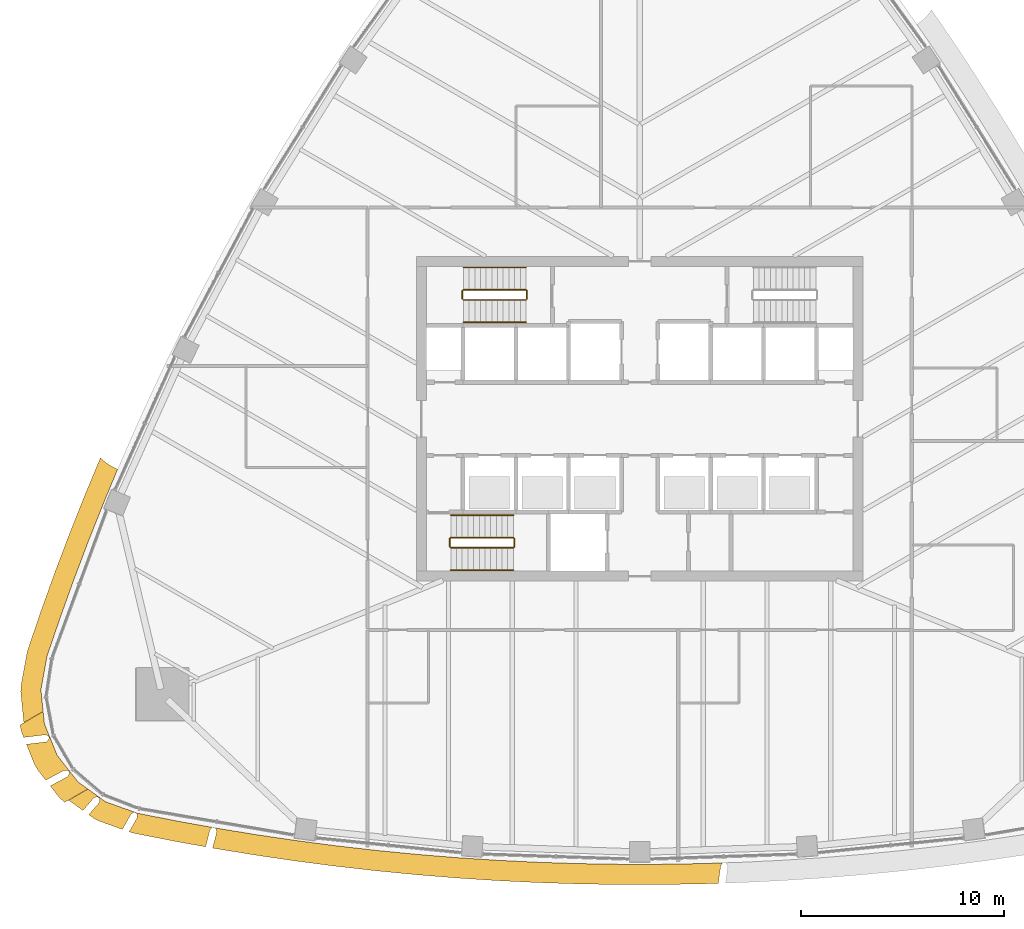
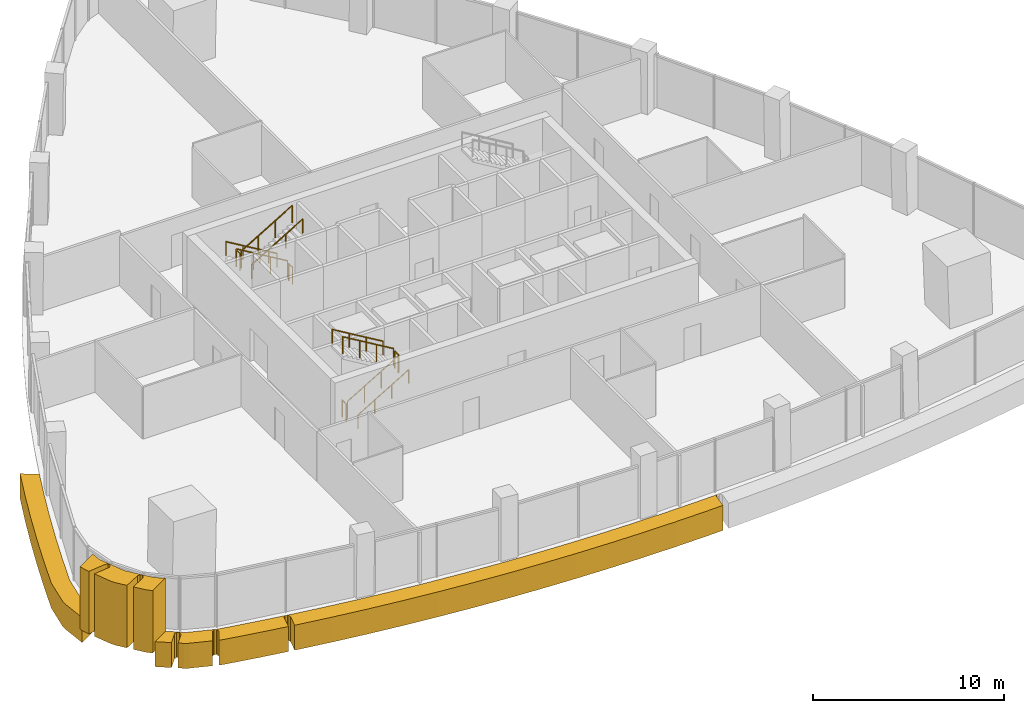
# One storey, part 13 of 16: 12 railings, 3 coverings.
"""IFC4 building model written with IfcOpenShell, lengths in metres."""

import ifcopenshell
import ifcopenshell.guid

model = None  # the IFC model being written
_history = None  # IfcOwnerHistory: only IFC2X3 demands one
_inside = {}  # id of a spatial element -> (the spatial element, [elements in it])
_under = {}  # id of a project, library or spatial element -> (it, [spatial elements below it])
_declared = {}  # id of a project -> (the project, [libraries it declares])
_typed = {}  # id of a type object -> (the type object, [elements of that type])
_made_of = {}  # id of a material, layer set ... -> (it, [elements and type objects made of it])


def new_model(schema):
    """Start an empty IFC model of exactly this schema.

    Asked for "IFC4X3", IfcOpenShell would pick the latest addendum, in which some entities
    have other attributes; the version numbers below select the first issue.
    IFC2X3 requires an IfcOwnerHistory on every rooted entity: one is made here for all.
    """
    global model, _history
    if schema == "IFC4X3":
        model = ifcopenshell.file(schema_version=(4, 3, 0, 0))
    else:
        model = ifcopenshell.file(schema=schema)
    _inside.clear()
    _under.clear()
    _declared.clear()
    _typed.clear()
    _made_of.clear()
    _history = None
    if model.schema == "IFC2X3":
        org = make("IfcOrganization", Name="unknown")
        user = make(
            "IfcPersonAndOrganization",
            ThePerson=make("IfcPerson", FamilyName="unknown"),
            TheOrganization=org,
        )
        app = make(
            "IfcApplication",
            ApplicationDeveloper=org,
            Version="unknown",
            ApplicationFullName="unknown",
            ApplicationIdentifier="unknown",
        )
        _history = make(
            "IfcOwnerHistory",
            OwningUser=user,
            OwningApplication=app,
            ChangeAction="ADDED",
            CreationDate=0,
        )
    return model


def make(cls, **values):
    """One entity of the class cls with the attributes given. An attribute that is None is left unset."""
    return model.create_entity(
        cls, **{name: value for name, value in values.items() if value is not None}
    )


def rooted(cls, **values):
    """An entity with a GlobalId (a new one), such as an element, a storey or a relation."""
    return make(cls, GlobalId=ifcopenshell.guid.new(), OwnerHistory=_history, **values)


def si_unit(unit_type, name, prefix=None):
    """IfcSIUnit, for example si_unit("LENGTHUNIT", "METRE", prefix="MILLI")."""
    return make("IfcSIUnit", UnitType=unit_type, Prefix=prefix, Name=name)


def assignment(units):
    """IfcUnitAssignment: the units of a project."""
    return None if units is None else make("IfcUnitAssignment", Units=units)


def point(xyz):
    """IfcCartesianPoint."""
    return None if xyz is None else make("IfcCartesianPoint", Coordinates=xyz)


def direction(xyz):
    """IfcDirection."""
    return None if xyz is None else make("IfcDirection", DirectionRatios=xyz)


def frame(location, z_axis=None, x_axis=None):
    """IfcAxis2Placement3D, a coordinate frame: its origin and axes. An axis left out is left unset."""
    return make(
        "IfcAxis2Placement3D",
        Location=point(location),
        Axis=direction(z_axis),
        RefDirection=direction(x_axis),
    )


def frame_2d(location, x_axis=None):
    """IfcAxis2Placement2D, a coordinate frame in the plane: its origin and x axis."""
    return make(
        "IfcAxis2Placement2D", Location=point(location), RefDirection=direction(x_axis)
    )


def origin():
    """The frame at (0, 0, 0) with its axes left unset."""
    return frame((0.0, 0.0, 0.0))


def origin_2d():
    """The frame at (0, 0) in the plane with its x axis left unset."""
    return frame_2d((0.0, 0.0))


def place(relative_to, where):
    """IfcLocalPlacement: puts the frame where relative to a parent placement (None: the world)."""
    return make(
        "IfcLocalPlacement", PlacementRelTo=relative_to, RelativePlacement=where
    )


def context(
    kind, dimensions, precision=None, world=None, true_north=None, identifier=None
):
    """IfcGeometricRepresentationContext, for example the 3D "Model" context."""
    return make(
        "IfcGeometricRepresentationContext",
        ContextIdentifier=identifier,
        ContextType=kind,
        CoordinateSpaceDimension=dimensions,
        Precision=precision,
        WorldCoordinateSystem=world,
        TrueNorth=true_north,
    )


def subcontext(parent, identifier, kind, view, scale=None):
    """IfcGeometricRepresentationSubContext, for example "Body" below "Model"."""
    return make(
        "IfcGeometricRepresentationSubContext",
        ContextIdentifier=identifier,
        ContextType=kind,
        ParentContext=parent,
        TargetScale=scale,
        TargetView=view,
    )


def project(units=None, contexts=None):
    """IfcProject with its units and contexts."""
    return rooted(
        "IfcProject",
        Name="project",
        RepresentationContexts=contexts,
        UnitsInContext=assignment(units),
    )


def spatial(cls, under=None, at=None, **own):
    """A site, building, storey or space (cls), placed at a placement, below another one or the project."""
    s = rooted(cls, ObjectPlacement=at, **own)
    if under is not None:
        _under.setdefault(under.id(), (under, []))[1].append(s)
    return s


def polyline(points):
    """IfcPolyline through the points."""
    return make("IfcPolyline", Points=[point(p) for p in points])


def profile(cls, at=None, kind="AREA", **sizes):
    """A parametric profile (cls). Its sizes go by their IFC names, for example OverallWidth=200.0."""
    return make(cls, ProfileType=kind, Position=at, **sizes)


def circle(**sizes):
    """IfcCircleProfileDef."""
    return profile("IfcCircleProfileDef", **sizes)


def outline(outer, holes=None, kind="AREA"):
    """IfcArbitraryClosedProfileDef: a profile drawn as a closed curve; with holes, ...WithVoids."""
    if holes is None:
        return make("IfcArbitraryClosedProfileDef", ProfileType=kind, OuterCurve=outer)
    return make(
        "IfcArbitraryProfileDefWithVoids",
        ProfileType=kind,
        OuterCurve=outer,
        InnerCurves=holes,
    )


def extrude(swept, where, along, depth):
    """IfcExtrudedAreaSolid: the profile swept, set in the frame where, extruded along a direction by depth."""
    return make(
        "IfcExtrudedAreaSolid",
        SweptArea=swept,
        Position=where,
        ExtrudedDirection=direction(along),
        Depth=depth,
    )


def shape(context_of_items, identifier, shape_type, items):
    """IfcShapeRepresentation: the items that make up one representation, for example the "Body"."""
    return make(
        "IfcShapeRepresentation",
        ContextOfItems=context_of_items,
        RepresentationIdentifier=identifier,
        RepresentationType=shape_type,
        Items=items,
    )


def material(Name=None, Category=None):
    """IfcMaterial."""
    return make("IfcMaterial", Name=Name, Category=Category)


def layer(
    of_material, thickness, ventilated=None, Name=None, Category=None, Priority=None
):
    """IfcMaterialLayer: one layer of a wall or slab, of a material (None: an air gap)."""
    return make(
        "IfcMaterialLayer",
        Material=of_material,
        LayerThickness=thickness,
        IsVentilated=ventilated,
        Name=Name,
        Category=Category,
        Priority=Priority,
    )


def layer_set(layers, Name=None):
    """IfcMaterialLayerSet."""
    return make("IfcMaterialLayerSet", MaterialLayers=layers, LayerSetName=Name)


def made_of(thing, what):
    """Note that an element or type object is made of a material, layer set ...; save() writes the relation."""
    if what is not None:
        _made_of.setdefault(what.id(), (what, []))[1].append(thing)
    return thing


def type_object(cls, material=None, **own):
    """A type object (cls), such as IfcWallType, which elements share."""
    return made_of(rooted(cls, **own), material)


def element(
    cls,
    number,
    at=None,
    inside=None,
    cuts=None,
    type_object=None,
    material=None,
    context=None,
    identifier="Body",
    shape_type=None,
    held_by="IfcProductDefinitionShape",
    body=None,
    shapes=None,
    **own,
):
    """One element of the class cls, such as IfcWall. Its Tag is "e" and its number.

    at: its placement. inside: the storey or other place that contains it. cuts: it is an
    opening in that element (IfcRelVoidsElement). A single representation is given by context,
    identifier, shape_type and body (its items); several are given by shapes. held_by: the class
    of the entity that holds the representations. save() writes the other relations.
    """
    e = rooted(cls, Tag="e%d" % number, ObjectPlacement=at, **own)
    if body is not None:
        shapes = [shape(context, identifier, shape_type, body)]
    if shapes is not None:
        e.Representation = make(held_by, Representations=shapes)
    if inside is not None:
        _inside.setdefault(inside.id(), (inside, []))[1].append(e)
    if cuts is not None:
        rooted(
            "IfcRelVoidsElement", RelatingBuildingElement=cuts, RelatedOpeningElement=e
        )
    if type_object is not None:
        _typed.setdefault(type_object.id(), (type_object, []))[1].append(e)
    return made_of(e, material)


def aggregate(whole, parts):
    """IfcRelAggregates: a whole, such as a stair, and the parts it consists of."""
    return rooted("IfcRelAggregates", RelatingObject=whole, RelatedObjects=parts)


def save(model, path):
    """Write the relations noted so far, then the file.

    IfcRelAggregates (storeys below a building ...), IfcRelContainedInSpatialStructure (elements
    in a storey), IfcRelDefinesByType, IfcRelAssociatesMaterial and IfcRelDeclares: one each for
    every whole, place, type object, material and project.
    """
    for whole, parts in _under.values():
        aggregate(whole, parts)
    for where, things in _inside.values():
        rooted(
            "IfcRelContainedInSpatialStructure",
            RelatedElements=things,
            RelatingStructure=where,
        )
    for kind, things in _typed.values():
        rooted("IfcRelDefinesByType", RelatedObjects=things, RelatingType=kind)
    for what, things in _made_of.values():
        rooted("IfcRelAssociatesMaterial", RelatedObjects=things, RelatingMaterial=what)
    for by, libraries in _declared.values():
        rooted("IfcRelDeclares", RelatingContext=by, RelatedDefinitions=libraries)
    model.write(path)


model = new_model("IFC4")

# Units and contexts
model_context = context("Model", 3, precision=1e-05, world=origin(), true_north=direction((0.0, 1.0)))
body_context = subcontext(model_context, "Body", "Model", "MODEL_VIEW")
ifc_project = project(units=[si_unit("LENGTHUNIT", "METRE"), si_unit("AREAUNIT", "SQUARE_METRE"), si_unit("VOLUMEUNIT", "CUBIC_METRE"), si_unit("PLANEANGLEUNIT", "RADIAN"), si_unit("MASSUNIT", "GRAM", prefix="KILO")], contexts=[model_context])

# Site, building, storey
site_placement = place(None, origin())
site = spatial("IfcSite", under=ifc_project, at=site_placement, CompositionType="ELEMENT")
building_placement = place(site_placement, origin())
building = spatial("IfcBuilding", under=site, at=building_placement, Name="Sierra Prisma Convention Tower", CompositionType="ELEMENT")
storey_placement = place(building_placement, frame((0.0, 0.0, 181.800048828125)))
storey = spatial("IfcBuildingStorey", under=building, at=storey_placement, Name="L40", CompositionType="ELEMENT", Elevation=181.800048828125)

# Coverings
ifc_material_1 = material(Name="Aluminium composite bronze anodised", Category="aluminium")
ifc_layer_1 = layer(ifc_material_1, 1.199951171875)
ifc_layer_set_1 = layer_set([ifc_layer_1], Name="Bronze corner pier")
covering_type_1 = type_object("IfcCoveringType", Name="Bronze corner pier", PredefinedType="CLADDING", material=ifc_layer_set_1)
covering_1_placement = place(storey_placement, frame((0.0, 0.0, -0.60009765625)))
element("IfcCovering", 1, at=covering_1_placement, inside=storey, type_object=covering_type_1, Name="Corner pier SW L40.1", PredefinedType="CLADDING", context=body_context, shape_type="SweptSolid", body=[
    extrude(outline(polyline([(-30.2041015625, -16.030517578125), (-29.2431640625, -15.91357421875), (-29.23828125, -15.912841796875), (-29.2333984375, -15.91162109375), (-29.22900390625, -15.90966796875), (-29.224609375, -15.907470703125), (-29.22021484375, -15.90478515625), (-29.21630859375, -15.901611328125), (-29.212890625, -15.898193359375), (-29.097900390625, -15.775634765625), (-29.0947265625, -15.772216796875), (-29.092041015625, -15.768310546875), (-29.08984375, -15.76416015625), (-29.087890625, -15.759765625), (-29.086181640625, -15.75537109375), (-29.085205078125, -15.750732421875), (-29.084716796875, -15.74609375), (-29.08447265625, -15.7412109375), (-29.084716796875, -15.736572265625), (-29.085205078125, -15.73193359375), (-29.08642578125, -15.727294921875), (-29.087890625, -15.722900390625), (-29.125244140625, -15.6298828125), (-29.12744140625, -15.62548828125), (-29.1298828125, -15.621337890625), (-29.1328125, -15.6171875), (-29.13623046875, -15.613525390625), (-29.139892578125, -15.610107421875), (-29.143798828125, -15.607421875), (-29.14794921875, -15.604736328125), (-29.152587890625, -15.6025390625), (-29.156982421875, -15.600830078125), (-29.264892578125, -15.568115234375), (-29.27001953125, -15.56689453125), (-29.275146484375, -15.56591796875), (-29.2802734375, -15.56591796875), (-29.285400390625, -15.566162109375), (-30.33935546875, -15.6943359375), (-30.433349609375, -15.461181640625), (-30.513916015625, -15.13427734375), (-30.51953125, -15.080078125), (-29.38037109375, -14.42236328125), (-29.3203125, -15.0126953125), (-28.6943359375, -16.566650390625), (-27.66162109375, -17.8857421875), (-27.180419921875, -18.23291015625), (-28.319580078125, -18.890625), (-28.363525390625, -18.85888671875), (-28.606201171875, -18.62548828125), (-29.031982421875, -18.081787109375), (-28.180908203125, -17.628173828125), (-28.177001953125, -17.625732421875), (-28.17333984375, -17.623046875), (-28.169921875, -17.6201171875), (-28.16650390625, -17.61669921875), (-28.163818359375, -17.61279296875), (-28.1611328125, -17.60888671875), (-28.1591796875, -17.60498046875), (-28.092529296875, -17.4599609375), (-28.0908203125, -17.455322265625), (-28.08935546875, -17.45068359375), (-28.08837890625, -17.44580078125), (-28.088134765625, -17.440673828125), (-28.088134765625, -17.435791015625), (-28.088623046875, -17.430908203125), (-28.08984375, -17.42578125), (-28.09130859375, -17.421142578125), (-28.093505859375, -17.416748046875), (-28.095703125, -17.412353515625), (-28.0986328125, -17.408203125), (-28.160400390625, -17.32958984375), (-28.163818359375, -17.32568359375), (-28.16748046875, -17.322021484375), (-28.171630859375, -17.319091796875), (-28.176025390625, -17.31640625), (-28.1806640625, -17.314208984375), (-28.185546875, -17.3125), (-28.190673828125, -17.311279296875), (-28.19580078125, -17.310546875), (-28.200927734375, -17.310302734375), (-28.323486328125, -17.3134765625), (-28.327880859375, -17.313720703125), (-28.33251953125, -17.314453125), (-28.337158203125, -17.315673828125), (-28.341552734375, -17.3173828125), (-28.345703125, -17.3193359375), (-29.251220703125, -17.802001953125), (-29.63916015625, -17.306396484375), (-29.8076171875, -17.014892578125), (-30.2041015625, -16.030517578125)])), origin(), (0.0, 0.0, 1.0), 4.0),
])
ifc_material_2 = material(Name="Aluminium composite bronze anodised", Category="aluminium")
ifc_layer_2 = layer(ifc_material_2, 1.0)
ifc_layer_set_2 = layer_set([ifc_layer_2], Name="Bronze spandrel band")
covering_type_2 = type_object("IfcCoveringType", Name="Bronze spandrel band", PredefinedType="CLADDING", material=ifc_layer_set_2)
covering_2_placement = place(storey_placement, frame((0.0, 0.0, -1.60009765625)))
element("IfcCovering", 2, at=covering_2_placement, inside=storey, type_object=covering_type_2, Name="Spandrel band L40.1", PredefinedType="CLADDING", context=body_context, shape_type="SweptSolid", body=[
    extrude(outline(polyline([(-26.5869140625, -1.98681640625), (-26.55908203125, -1.922607421875), (-26.4443359375, -2.033203125), (-26.25, -2.186279296875), (-26.041748046875, -2.31982421875), (-25.821533203125, -2.43212890625), (-25.710205078125, -2.482177734375), (-26.43408203125, -4.224609375), (-27.16845703125, -6.075927734375), (-27.87255859375, -7.93896484375), (-28.54638671875, -9.81298828125), (-29.189697265625, -11.697998046875), (-29.48974609375, -13.34619140625), (-29.38134765625, -14.41162109375), (-30.330810546875, -14.959716796875), (-30.484619140625, -13.447509765625), (-30.4736328125, -13.1669921875), (-30.173583984375, -11.518798828125), (-30.135986328125, -11.375), (-29.492919921875, -9.489990234375), (-29.4873046875, -9.474853515625), (-28.813720703125, -7.6005859375), (-28.80810546875, -7.58544921875), (-28.103759765625, -5.722412109375), (-28.097900390625, -5.707275390625), (-27.36376953125, -3.85595703125), (-27.357666015625, -3.8408203125), (-26.59326171875, -2.001708984375), (-26.5869140625, -1.98681640625)])), origin(), (0.0, 0.0, 1.0), 1.60009765625),
])
covering_3_placement = place(storey_placement, frame((0.0, 0.0, -1.60009765625)))
element("IfcCovering", 3, at=covering_3_placement, inside=storey, type_object=covering_type_2, Name="Spandrel band L40.2", PredefinedType="CLADDING", context=body_context, shape_type="SweptSolid", body=[
    extrude(outline(polyline([(-24.7255859375, -19.43017578125), (-22.771484375, -19.815185546875), (-20.8115234375, -20.1689453125), (-18.84619140625, -20.490478515625), (-16.87548828125, -20.7802734375), (-14.900634765625, -21.0380859375), (-12.921875, -21.263916015625), (-10.939697265625, -21.457275390625), (-8.95458984375, -21.61865234375), (-6.967041015625, -21.747802734375), (-4.977783203125, -21.8447265625), (-2.9873046875, -21.909423828125), (-0.995849609375, -21.941650390625), (0.995849609375, -21.941650390625), (2.9873046875, -21.909423828125), (4.096923828125, -21.873291015625), (4.094482421875, -21.8740234375), (4.089599609375, -21.876220703125), (4.085205078125, -21.878662109375), (4.080810546875, -21.881591796875), (4.076904296875, -21.885009765625), (4.073486328125, -21.888916015625), (4.0703125, -21.892822265625), (4.001220703125, -21.993896484375), (3.99853515625, -21.997802734375), (3.99658203125, -22.001953125), (3.994873046875, -22.00634765625), (3.99365234375, -22.010986328125), (3.992919921875, -22.015380859375), (3.874755859375, -22.881103515625), (3.019775390625, -22.90869140625), (3.00341796875, -22.9091796875), (1.011962890625, -22.94140625), (0.995849609375, -22.941650390625), (-0.995849609375, -22.941650390625), (-1.011962890625, -22.94140625), (-3.00341796875, -22.9091796875), (-3.019775390625, -22.90869140625), (-5.01025390625, -22.84423828125), (-5.026611328125, -22.843505859375), (-7.015869140625, -22.74658203125), (-7.031982421875, -22.745849609375), (-9.019287109375, -22.61669921875), (-9.03564453125, -22.615478515625), (-11.020751953125, -22.4541015625), (-11.036865234375, -22.45263671875), (-13.01904296875, -22.259033203125), (-13.03515625, -22.25732421875), (-15.013916015625, -22.031494140625), (-15.030029296875, -22.02978515625), (-17.0048828125, -21.77197265625), (-17.02099609375, -21.769775390625), (-18.99169921875, -21.47998046875), (-19.007568359375, -21.477294921875), (-20.97314453125, -21.15576171875), (-20.989013671875, -21.153076171875), (-21.032958984375, -21.14501953125), (-20.830810546875, -20.355712890625), (-20.82958984375, -20.350830078125), (-20.8291015625, -20.345947265625), (-20.8291015625, -20.3408203125), (-20.82958984375, -20.335693359375), (-20.830810546875, -20.330810546875), (-20.832275390625, -20.326171875), (-20.884521484375, -20.184814453125), (-20.88623046875, -20.180419921875), (-20.888671875, -20.17626953125), (-20.89111328125, -20.172119140625), (-20.894287109375, -20.16845703125), (-20.897705078125, -20.1650390625), (-20.9013671875, -20.162109375), (-20.9052734375, -20.159423828125), (-20.909423828125, -20.156982421875), (-20.913818359375, -20.1552734375), (-20.91845703125, -20.15380859375), (-20.923095703125, -20.15283203125), (-21.021728515625, -20.136474609375), (-21.026611328125, -20.135986328125), (-21.031494140625, -20.135986328125), (-21.036376953125, -20.13623046875), (-21.041015625, -20.13720703125), (-21.0458984375, -20.138427734375), (-21.05029296875, -20.14013671875), (-21.0546875, -20.142333984375), (-21.058837890625, -20.14501953125), (-21.0625, -20.14794921875), (-21.066162109375, -20.1513671875), (-21.157470703125, -20.246826171875), (-21.160888671875, -20.250732421875), (-21.163818359375, -20.2548828125), (-21.166259765625, -20.25927734375), (-21.168212890625, -20.263916015625), (-21.169677734375, -20.268798828125), (-21.37841796875, -21.082763671875), (-22.94921875, -20.799560546875), (-22.965087890625, -20.79638671875), (-24.919189453125, -20.4111328125), (-25.0625, -20.37158203125), (-25.144287109375, -20.34228515625), (-24.75244140625, -19.65478515625), (-24.750244140625, -19.650634765625), (-24.74853515625, -19.646240234375), (-24.747314453125, -19.641845703125), (-24.746337890625, -19.63720703125), (-24.74609375, -19.6328125), (-24.745849609375, -19.628173828125), (-24.746337890625, -19.623291015625), (-24.767578125, -19.46533203125), (-24.768310546875, -19.46044921875), (-24.769775390625, -19.455810546875), (-24.771484375, -19.451171875), (-24.77392578125, -19.44677734375), (-24.776611328125, -19.4423828125), (-24.77978515625, -19.438720703125), (-24.783203125, -19.43505859375), (-24.787109375, -19.431884765625), (-24.791259765625, -19.42919921875), (-24.795654296875, -19.4267578125), (-24.80029296875, -19.4248046875), (-24.894287109375, -19.391357421875), (-24.8994140625, -19.389892578125), (-24.904296875, -19.388916015625), (-24.909423828125, -19.388427734375), (-24.914794921875, -19.388427734375), (-24.919921875, -19.38916015625), (-24.9248046875, -19.39013671875), (-24.9296875, -19.391845703125), (-24.9345703125, -19.39404296875), (-24.93896484375, -19.396728515625), (-25.040771484375, -19.464599609375), (-25.044677734375, -19.46728515625), (-25.048095703125, -19.470458984375), (-25.05126953125, -19.473876953125), (-25.05419921875, -19.4775390625), (-25.056396484375, -19.4814453125), (-25.47900390625, -20.22265625), (-26.639892578125, -19.807373046875), (-26.88818359375, -19.6767578125), (-27.134033203125, -19.499267578125), (-26.625732421875, -18.910400390625), (-26.62255859375, -18.906494140625), (-26.619873046875, -18.902099609375), (-26.61767578125, -18.897705078125), (-26.615966796875, -18.892822265625), (-26.614501953125, -18.88818359375), (-26.61376953125, -18.883056640625), (-26.59765625, -18.7333984375), (-26.597412109375, -18.728515625), (-26.59765625, -18.723876953125), (-26.59814453125, -18.718994140625), (-26.599365234375, -18.71435546875), (-26.600830078125, -18.709716796875), (-26.602783203125, -18.70556640625), (-26.60498046875, -18.701416015625), (-26.60791015625, -18.697509765625), (-26.611083984375, -18.693603515625), (-26.614501953125, -18.6904296875), (-26.6181640625, -18.6875), (-26.69921875, -18.62890625), (-26.703369140625, -18.626220703125), (-26.70751953125, -18.6240234375), (-26.712158203125, -18.622314453125), (-26.716796875, -18.620849609375), (-26.7216796875, -18.6201171875), (-26.726318359375, -18.619384765625), (-26.731201171875, -18.619384765625), (-26.736083984375, -18.6201171875), (-26.740966796875, -18.62109375), (-26.74560546875, -18.622314453125), (-26.869873046875, -18.667236328125), (-26.87451171875, -18.669189453125), (-26.87890625, -18.671875), (-26.88330078125, -18.6748046875), (-26.88720703125, -18.677978515625), (-26.890625, -18.681640625), (-27.4189453125, -19.293701171875), (-28.120849609375, -18.787353515625), (-27.17138671875, -18.2392578125), (-26.302978515625, -18.86572265625), (-24.7255859375, -19.43017578125)])), origin(), (0.0, 0.0, 1.0), 1.60009765625),
])

# Railings
ifc_material_3 = material(Name="Stainless steel", Category="steel")
railing_type_1 = type_object("IfcRailingType", Name="Exit stair handrail", PredefinedType="HANDRAIL", material=ifc_material_3)
railing_1_placement = place(storey_placement, frame((-9.300048828125, -7.449951171875, 0.16650390625)))
element("IfcRailing", 4, at=railing_1_placement, inside=storey, type_object=railing_type_1, Name="L40 S1 stair handrail 1", PredefinedType="HANDRAIL", context=body_context, shape_type="SweptSolid", body=[
    extrude(circle(Radius=0.02392578125, at=origin_2d()), frame((0.0, 0.0, 0.8759765625), z_axis=(0.85927862911, 0.0, 0.511507807912), x_axis=(0.0, 1.0, 0.0)), (0.0, 0.0, 1.0), 3.58447265625),
    extrude(circle(Radius=0.02099609375, at=origin_2d()), origin(), (0.0, 0.0, 1.0), 0.851806640625),
    extrude(circle(Radius=0.02099609375, at=origin_2d()), frame((1.026611328125, 0.0, 0.611083984375)), (0.0, 0.0, 1.0), 0.851806640625),
    extrude(circle(Radius=0.02099609375, at=origin_2d()), frame((2.053466796875, 0.0, 1.222412109375)), (0.0, 0.0, 1.0), 0.851806640625),
    extrude(circle(Radius=0.02099609375, at=origin_2d()), frame((3.080078125, 0.0, 1.83349609375)), (0.0, 0.0, 1.0), 0.851806640625),
])
railing_2_placement = place(storey_placement, frame((-6.219970703125, -4.75, 2.16650390625)))
element("IfcRailing", 5, at=railing_2_placement, inside=storey, type_object=railing_type_1, Name="L40 S1 stair handrail 2", PredefinedType="HANDRAIL", context=body_context, shape_type="SweptSolid", body=[
    extrude(circle(Radius=0.02392578125, at=origin_2d()), frame((0.0, 0.0, 0.8759765625), z_axis=(-0.85927862911, 0.0, 0.511507807912), x_axis=(0.0, -1.0, 0.0)), (0.0, 0.0, 1.0), 3.58447265625),
    extrude(circle(Radius=0.02099609375, at=origin_2d()), origin(), (0.0, 0.0, 1.0), 0.851806640625),
    extrude(circle(Radius=0.02099609375, at=origin_2d()), frame((-1.026611328125, 0.0, 0.611083984375)), (0.0, 0.0, 1.0), 0.851806640625),
    extrude(circle(Radius=0.02099609375, at=origin_2d()), frame((-2.053466796875, 0.0, 1.222412109375)), (0.0, 0.0, 1.0), 0.851806640625),
    extrude(circle(Radius=0.02099609375, at=origin_2d()), frame((-3.080078125, 0.0, 1.83349609375)), (0.0, 0.0, 1.0), 0.851806640625),
])
railing_3_placement = place(storey_placement, frame((-5.60009765625, 7.449951171875, 0.16650390625)))
element("IfcRailing", 6, at=railing_3_placement, inside=storey, type_object=railing_type_1, Name="L40 S3 stair handrail 1", PredefinedType="HANDRAIL", context=body_context, shape_type="SweptSolid", body=[
    extrude(circle(Radius=0.02392578125, at=origin_2d()), frame((0.0, 0.0, 0.8759765625), z_axis=(-0.859260807169, 0.0, 0.511537745687), x_axis=(0.0, -1.0, 0.0)), (0.0, 0.0, 1.0), 3.584228515625),
    extrude(circle(Radius=0.02099609375, at=origin_2d()), origin(), (0.0, 0.0, 1.0), 0.851806640625),
    extrude(circle(Radius=0.02099609375, at=origin_2d()), frame((-1.026611328125, 0.0, 0.611083984375)), (0.0, 0.0, 1.0), 0.851806640625),
    extrude(circle(Radius=0.02099609375, at=origin_2d()), frame((-2.05322265625, 0.0, 1.222412109375)), (0.0, 0.0, 1.0), 0.851806640625),
    extrude(circle(Radius=0.02099609375, at=origin_2d()), frame((-3.079833984375, 0.0, 1.83349609375)), (0.0, 0.0, 1.0), 0.851806640625),
])
railing_4_placement = place(storey_placement, frame((-8.679931640625, 4.75, 2.16650390625)))
element("IfcRailing", 7, at=railing_4_placement, inside=storey, type_object=railing_type_1, Name="L40 S3 stair handrail 2", PredefinedType="HANDRAIL", context=body_context, shape_type="SweptSolid", body=[
    extrude(circle(Radius=0.02392578125, at=origin_2d()), frame((0.0, 0.0, 0.8759765625), z_axis=(0.859260807169, 0.0, 0.511537745687), x_axis=(0.0, 1.0, 0.0)), (0.0, 0.0, 1.0), 3.584228515625),
    extrude(circle(Radius=0.02099609375, at=origin_2d()), origin(), (0.0, 0.0, 1.0), 0.851806640625),
    extrude(circle(Radius=0.02099609375, at=origin_2d()), frame((1.026611328125, 0.0, 0.611083984375)), (0.0, 0.0, 1.0), 0.851806640625),
    extrude(circle(Radius=0.02099609375, at=origin_2d()), frame((2.05322265625, 0.0, 1.222412109375)), (0.0, 0.0, 1.0), 0.851806640625),
    extrude(circle(Radius=0.02099609375, at=origin_2d()), frame((3.079833984375, 0.0, 1.83349609375)), (0.0, 0.0, 1.0), 0.851806640625),
])
ifc_material_4 = material(Name="Stainless steel", Category="steel")
railing_type_2 = type_object("IfcRailingType", Name="Stair guard 1100", PredefinedType="GUARDRAIL", material=ifc_material_4)
railing_5_placement = place(storey_placement, frame((-9.300048828125, -6.35009765625, 0.16650390625)))
element("IfcRailing", 8, at=railing_5_placement, inside=storey, type_object=railing_type_2, Name="L40 S1 stair guard 1", PredefinedType="GUARDRAIL", context=body_context, shape_type="SweptSolid", body=[
    extrude(circle(Radius=0.02392578125, at=origin_2d()), frame((0.0, 0.0, 1.076171875), z_axis=(0.85927862911, 0.0, 0.511507807912), x_axis=(0.0, 1.0, 0.0)), (0.0, 0.0, 1.0), 3.58447265625),
    extrude(circle(Radius=0.02099609375, at=origin_2d()), origin(), (0.0, 0.0, 1.0), 1.052001953125),
    extrude(circle(Radius=0.02099609375, at=origin_2d()), frame((1.026611328125, 0.0, 0.611083984375)), (0.0, 0.0, 1.0), 1.052001953125),
    extrude(circle(Radius=0.02099609375, at=origin_2d()), frame((2.053466796875, 0.0, 1.222412109375)), (0.0, 0.0, 1.0), 1.052001953125),
    extrude(circle(Radius=0.02099609375, at=origin_2d()), frame((3.080078125, 0.0, 1.83349609375)), (0.0, 0.0, 1.0), 1.052001953125),
])
railing_6_placement = place(storey_placement, frame((-6.169921875, -6.300048828125, 2.0)))
element("IfcRailing", 9, at=railing_6_placement, inside=storey, type_object=railing_type_2, Name="L40 S1 stair guard 2", PredefinedType="GUARDRAIL", context=body_context, shape_type="SweptSolid", body=[
    extrude(circle(Radius=0.02392578125, at=origin_2d()), frame((0.0, 0.0, 1.076171875), z_axis=(0.0, 1.0, 0.0), x_axis=(-1.0, 0.0, 0.0)), (0.0, 0.0, 1.0), 0.400146484375),
    extrude(circle(Radius=0.02099609375, at=origin_2d()), origin(), (0.0, 0.0, 1.0), 1.052001953125),
    extrude(circle(Radius=0.02099609375, at=origin_2d()), frame((0.0, 0.400146484375, 0.0)), (0.0, 0.0, 1.0), 1.052001953125),
])
railing_7_placement = place(storey_placement, frame((-6.219970703125, -5.85009765625, 2.16650390625)))
element("IfcRailing", 10, at=railing_7_placement, inside=storey, type_object=railing_type_2, Name="L40 S1 stair guard 3", PredefinedType="GUARDRAIL", context=body_context, shape_type="SweptSolid", body=[
    extrude(circle(Radius=0.02392578125, at=origin_2d()), frame((0.0, 0.0, 1.076171875), z_axis=(-0.85927862911, 0.0, 0.511507807912), x_axis=(0.0, -1.0, 0.0)), (0.0, 0.0, 1.0), 3.58447265625),
    extrude(circle(Radius=0.02099609375, at=origin_2d()), origin(), (0.0, 0.0, 1.0), 1.052001953125),
    extrude(circle(Radius=0.02099609375, at=origin_2d()), frame((-1.026611328125, 0.0, 0.611083984375)), (0.0, 0.0, 1.0), 1.052001953125),
    extrude(circle(Radius=0.02099609375, at=origin_2d()), frame((-2.053466796875, 0.0, 1.222412109375)), (0.0, 0.0, 1.0), 1.052001953125),
    extrude(circle(Radius=0.02099609375, at=origin_2d()), frame((-3.080078125, 0.0, 1.83349609375)), (0.0, 0.0, 1.0), 1.052001953125),
])
railing_8_placement = place(storey_placement, frame((-9.35009765625, -6.300048828125, 0.0)))
element("IfcRailing", 11, at=railing_8_placement, inside=storey, type_object=railing_type_2, Name="L40 S1 stair guard 4", PredefinedType="GUARDRAIL", context=body_context, shape_type="SweptSolid", body=[
    extrude(circle(Radius=0.02392578125, at=origin_2d()), frame((0.0, 0.0, 1.076171875), z_axis=(0.0, 1.0, 0.0), x_axis=(-1.0, 0.0, 0.0)), (0.0, 0.0, 1.0), 0.400146484375),
    extrude(circle(Radius=0.02099609375, at=origin_2d()), origin(), (0.0, 0.0, 1.0), 1.052001953125),
    extrude(circle(Radius=0.02099609375, at=origin_2d()), frame((0.0, 0.400146484375, 0.0)), (0.0, 0.0, 1.0), 1.052001953125),
])
railing_9_placement = place(storey_placement, frame((-5.60009765625, 6.35009765625, 0.16650390625)))
element("IfcRailing", 12, at=railing_9_placement, inside=storey, type_object=railing_type_2, Name="L40 S3 stair guard 1", PredefinedType="GUARDRAIL", context=body_context, shape_type="SweptSolid", body=[
    extrude(circle(Radius=0.02392578125, at=origin_2d()), frame((0.0, 0.0, 1.076171875), z_axis=(-0.859260807169, 0.0, 0.511537745687), x_axis=(0.0, -1.0, 0.0)), (0.0, 0.0, 1.0), 3.584228515625),
    extrude(circle(Radius=0.02099609375, at=origin_2d()), origin(), (0.0, 0.0, 1.0), 1.052001953125),
    extrude(circle(Radius=0.02099609375, at=origin_2d()), frame((-1.026611328125, 0.0, 0.611083984375)), (0.0, 0.0, 1.0), 1.052001953125),
    extrude(circle(Radius=0.02099609375, at=origin_2d()), frame((-2.05322265625, 0.0, 1.222412109375)), (0.0, 0.0, 1.0), 1.052001953125),
    extrude(circle(Radius=0.02099609375, at=origin_2d()), frame((-3.079833984375, 0.0, 1.83349609375)), (0.0, 0.0, 1.0), 1.052001953125),
])
railing_10_placement = place(storey_placement, frame((-8.72998046875, 6.300048828125, 2.0)))
element("IfcRailing", 13, at=railing_10_placement, inside=storey, type_object=railing_type_2, Name="L40 S3 stair guard 2", PredefinedType="GUARDRAIL", context=body_context, shape_type="SweptSolid", body=[
    extrude(circle(Radius=0.02392578125, at=origin_2d()), frame((0.0, 0.0, 1.076171875), z_axis=(0.0, -1.0, 0.0), x_axis=(1.0, 0.0, 0.0)), (0.0, 0.0, 1.0), 0.400146484375),
    extrude(circle(Radius=0.02099609375, at=origin_2d()), origin(), (0.0, 0.0, 1.0), 1.052001953125),
    extrude(circle(Radius=0.02099609375, at=origin_2d()), frame((0.0, -0.400146484375, 0.0)), (0.0, 0.0, 1.0), 1.052001953125),
])
railing_11_placement = place(storey_placement, frame((-8.679931640625, 5.85009765625, 2.16650390625)))
element("IfcRailing", 14, at=railing_11_placement, inside=storey, type_object=railing_type_2, Name="L40 S3 stair guard 3", PredefinedType="GUARDRAIL", context=body_context, shape_type="SweptSolid", body=[
    extrude(circle(Radius=0.02392578125, at=origin_2d()), frame((0.0, 0.0, 1.076171875), z_axis=(0.859260807169, 0.0, 0.511537745687), x_axis=(0.0, 1.0, 0.0)), (0.0, 0.0, 1.0), 3.584228515625),
    extrude(circle(Radius=0.02099609375, at=origin_2d()), origin(), (0.0, 0.0, 1.0), 1.052001953125),
    extrude(circle(Radius=0.02099609375, at=origin_2d()), frame((1.026611328125, 0.0, 0.611083984375)), (0.0, 0.0, 1.0), 1.052001953125),
    extrude(circle(Radius=0.02099609375, at=origin_2d()), frame((2.05322265625, 0.0, 1.222412109375)), (0.0, 0.0, 1.0), 1.052001953125),
    extrude(circle(Radius=0.02099609375, at=origin_2d()), frame((3.079833984375, 0.0, 1.83349609375)), (0.0, 0.0, 1.0), 1.052001953125),
])
railing_12_placement = place(storey_placement, frame((-5.550048828125, 6.300048828125, 0.0)))
element("IfcRailing", 15, at=railing_12_placement, inside=storey, type_object=railing_type_2, Name="L40 S3 stair guard 4", PredefinedType="GUARDRAIL", context=body_context, shape_type="SweptSolid", body=[
    extrude(circle(Radius=0.02392578125, at=origin_2d()), frame((0.0, 0.0, 1.076171875), z_axis=(0.0, -1.0, 0.0), x_axis=(1.0, 0.0, 0.0)), (0.0, 0.0, 1.0), 0.400146484375),
    extrude(circle(Radius=0.02099609375, at=origin_2d()), origin(), (0.0, 0.0, 1.0), 1.052001953125),
    extrude(circle(Radius=0.02099609375, at=origin_2d()), frame((0.0, -0.400146484375, 0.0)), (0.0, 0.0, 1.0), 1.052001953125),
])

save(model, "model.ifc")
